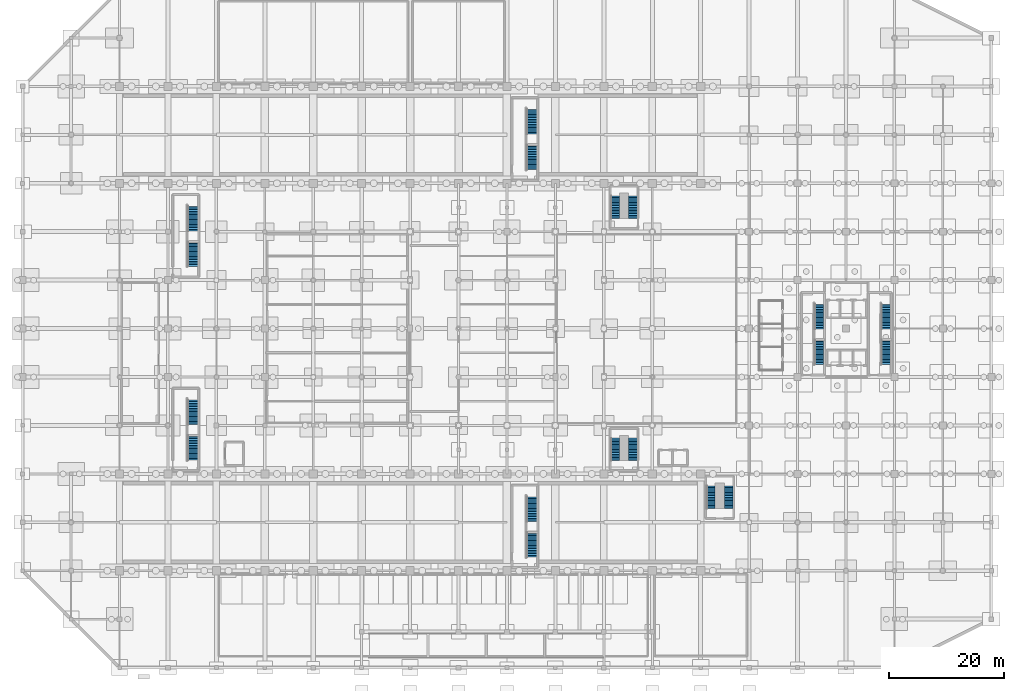
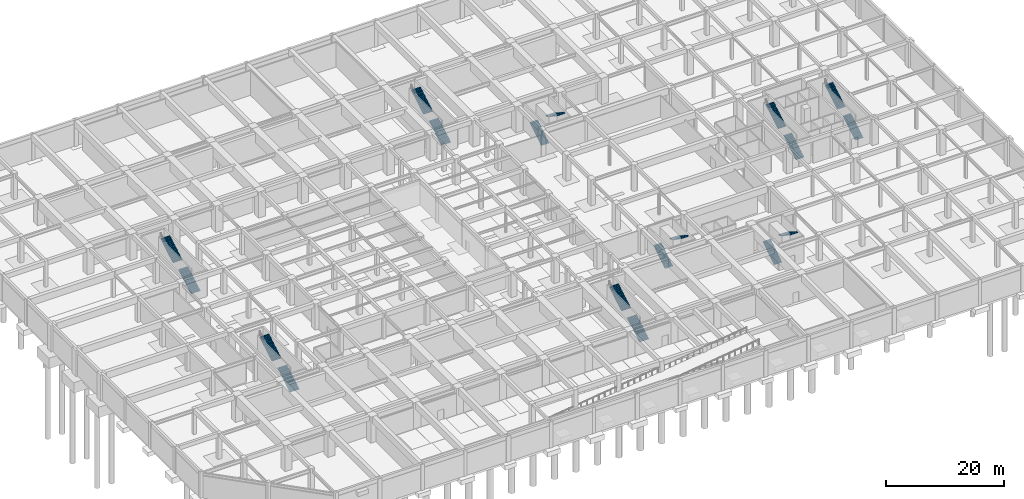
# One storey, part 25 of 26: 18 stair flights, 9 elements without a shape of their own.
"""IFC4 building model written with IfcOpenShell, lengths in metres."""

from ifc_helpers import new_model, si_unit, direction, frame, origin, place, context, subcontext, project, spatial, polyline, outline, extrude, material, layer, layer_set, type_object, element, aggregate, save


model = new_model("IFC4")

# Units and contexts
model_context = context("Model", 3, precision=1e-05, world=origin(), true_north=direction((0.0, 1.0)))
body_context = subcontext(model_context, "Body", "Model", "MODEL_VIEW")
ifc_project = project(units=[si_unit("LENGTHUNIT", "METRE"), si_unit("AREAUNIT", "SQUARE_METRE"), si_unit("VOLUMEUNIT", "CUBIC_METRE"), si_unit("PLANEANGLEUNIT", "RADIAN"), si_unit("MASSUNIT", "GRAM", prefix="KILO")], contexts=[model_context])

# Site, building, storey
site_placement = place(None, origin())
site = spatial("IfcSite", under=ifc_project, at=site_placement, CompositionType="ELEMENT")
building_placement = place(site_placement, origin())
building = spatial("IfcBuilding", under=site, at=building_placement, Name="Xuanlan Plaza Opera House", CompositionType="ELEMENT")
storey_placement = place(building_placement, frame((0.0, 0.0, -5.39990234375)))
storey = spatial("IfcBuildingStorey", under=building, at=storey_placement, Name="B01", CompositionType="ELEMENT", Elevation=-5.39990234375)

# Stair, stair flights
ifc_material = material(Name="Concrete C40", Category="concrete")
stair_type_1 = type_object("IfcStairType", Name="INT-ST-STR-F130", PredefinedType="HALF_TURN_STAIR", material=ifc_material)
stair_1_placement = place(storey_placement, origin())
stair_1 = element("IfcStair", 1, at=stair_1_placement, inside=storey, type_object=stair_type_1, Name="Grand Foyer Feature Stair ST-F1 B01", PredefinedType="HALF_TURN_STAIR")
ifc_layer_1 = layer(ifc_material, 0.159912109375)
ifc_layer_set_1 = layer_set([ifc_layer_1], Name="Concrete C40")
stair_flight_type_1 = type_object("IfcStairFlightType", Name="INT-FL-FL-130", PredefinedType="STRAIGHT", material=ifc_layer_set_1)
stair_flight_1_placement = place(storey_placement, frame((102.75, 35.8798828125, 0.0), z_axis=(0.0, 0.0, 1.0), x_axis=(0.0, 1.0, 0.0)))
stair_flight_1 = element("IfcStairFlight", 2, at=stair_flight_1_placement, type_object=stair_flight_type_1, Name="ST-F1-B01 flight 1", NumberOfRisers=15, NumberOfTreads=14, PredefinedType="STRAIGHT", RiserHeight=0.18, TreadLength=0.28, context=body_context, shape_type="SweptSolid", body=[
    extrude(outline(polyline([(0.0, 0.0), (0.0, 0.179931640625), (0.280029296875, 0.179931640625), (0.280029296875, 0.360107421875), (0.56005859375, 0.360107421875), (0.56005859375, 0.5400390625), (0.840087890625, 0.5400390625), (0.840087890625, 0.719970703125), (1.1201171875, 0.719970703125), (1.1201171875, 0.89990234375), (1.39990234375, 0.89990234375), (1.39990234375, 1.080078125), (1.679931640625, 1.080078125), (1.679931640625, 1.260009765625), (1.9599609375, 1.260009765625), (1.9599609375, 1.43994140625), (2.239990234375, 1.43994140625), (2.239990234375, 1.6201171875), (2.52001953125, 1.6201171875), (2.52001953125, 1.800048828125), (2.800048828125, 1.800048828125), (2.800048828125, 1.97998046875), (3.080078125, 1.97998046875), (3.080078125, 2.159912109375), (3.360107421875, 2.159912109375), (3.360107421875, 2.340087890625), (3.639892578125, 2.340087890625), (3.639892578125, 2.52001953125), (3.919921875, 2.52001953125), (3.919921875, 2.699951171875), (3.919921875, 2.329833984375), (0.295654296875, 0.0), (0.0, 0.0)])), frame((0.0, 0.75, 0.0), z_axis=(0.0, -1.0, 0.0), x_axis=(1.0, 0.0, 0.0)), (0.0, 0.0, 1.0), 1.5),
])
stair_flight_2_placement = place(storey_placement, frame((105.85009765625, 39.800048828125, 2.699951171875), z_axis=(0.0, 0.0, 1.0), x_axis=(0.0, -1.0, 0.0)))
stair_flight_2 = element("IfcStairFlight", 3, at=stair_flight_2_placement, type_object=stair_flight_type_1, Name="ST-F1-B01 flight 2", NumberOfRisers=15, NumberOfTreads=14, PredefinedType="STRAIGHT", RiserHeight=0.18, TreadLength=0.28, context=body_context, shape_type="SweptSolid", body=[
    extrude(outline(polyline([(0.0, 0.0), (0.0, 0.179931640625), (0.280029296875, 0.179931640625), (0.280029296875, 0.360107421875), (0.56005859375, 0.360107421875), (0.56005859375, 0.5400390625), (0.840087890625, 0.5400390625), (0.840087890625, 0.719970703125), (1.1201171875, 0.719970703125), (1.1201171875, 0.89990234375), (1.39990234375, 0.89990234375), (1.39990234375, 1.080078125), (1.679931640625, 1.080078125), (1.679931640625, 1.260009765625), (1.9599609375, 1.260009765625), (1.9599609375, 1.43994140625), (2.239990234375, 1.43994140625), (2.239990234375, 1.6201171875), (2.52001953125, 1.6201171875), (2.52001953125, 1.800048828125), (2.800048828125, 1.800048828125), (2.800048828125, 1.97998046875), (3.080078125, 1.97998046875), (3.080078125, 2.159912109375), (3.360107421875, 2.159912109375), (3.360107421875, 2.340087890625), (3.639892578125, 2.340087890625), (3.639892578125, 2.52001953125), (3.919921875, 2.52001953125), (3.919921875, 2.699951171875), (3.919921875, 2.329833984375), (0.295654296875, 0.0), (0.0, 0.0)])), frame((0.0, 0.75, 0.0), z_axis=(0.0, -1.0, 0.0), x_axis=(1.0, 0.0, 0.0)), (0.0, 0.0, 1.0), 1.5),
])
aggregate(stair_1, [stair_flight_1, stair_flight_2])

stair_2_placement = place(storey_placement, origin())
stair_2 = element("IfcStair", 4, at=stair_2_placement, inside=storey, type_object=stair_type_1, Name="Grand Foyer Feature Stair ST-F2 B01", PredefinedType="HALF_TURN_STAIR")
stair_flight_3_placement = place(storey_placement, frame((102.75, 77.8798828125, 0.0), z_axis=(0.0, 0.0, 1.0), x_axis=(0.0, 1.0, 0.0)))
stair_flight_3 = element("IfcStairFlight", 5, at=stair_flight_3_placement, type_object=stair_flight_type_1, Name="ST-F2-B01 flight 1", NumberOfRisers=15, NumberOfTreads=14, PredefinedType="STRAIGHT", RiserHeight=0.18, TreadLength=0.28, context=body_context, shape_type="SweptSolid", body=[
    extrude(outline(polyline([(0.0, 0.0), (0.0, 0.179931640625), (0.280029296875, 0.179931640625), (0.280029296875, 0.360107421875), (0.56005859375, 0.360107421875), (0.56005859375, 0.5400390625), (0.840087890625, 0.5400390625), (0.840087890625, 0.719970703125), (1.1201171875, 0.719970703125), (1.1201171875, 0.89990234375), (1.39990234375, 0.89990234375), (1.39990234375, 1.080078125), (1.679931640625, 1.080078125), (1.679931640625, 1.260009765625), (1.9599609375, 1.260009765625), (1.9599609375, 1.43994140625), (2.239990234375, 1.43994140625), (2.239990234375, 1.6201171875), (2.52001953125, 1.6201171875), (2.52001953125, 1.800048828125), (2.800048828125, 1.800048828125), (2.800048828125, 1.97998046875), (3.080078125, 1.97998046875), (3.080078125, 2.159912109375), (3.360107421875, 2.159912109375), (3.360107421875, 2.340087890625), (3.639892578125, 2.340087890625), (3.639892578125, 2.52001953125), (3.919921875, 2.52001953125), (3.919921875, 2.699951171875), (3.919921875, 2.329833984375), (0.295654296875, 0.0), (0.0, 0.0)])), frame((0.0, 0.75, 0.0), z_axis=(0.0, -1.0, 0.0), x_axis=(1.0, 0.0, 0.0)), (0.0, 0.0, 1.0), 1.5),
])
stair_flight_4_placement = place(storey_placement, frame((105.85009765625, 81.800048828125, 2.699951171875), z_axis=(0.0, 0.0, 1.0), x_axis=(0.0, -1.0, 0.0)))
stair_flight_4 = element("IfcStairFlight", 6, at=stair_flight_4_placement, type_object=stair_flight_type_1, Name="ST-F2-B01 flight 2", NumberOfRisers=15, NumberOfTreads=14, PredefinedType="STRAIGHT", RiserHeight=0.18, TreadLength=0.28, context=body_context, shape_type="SweptSolid", body=[
    extrude(outline(polyline([(0.0, 0.0), (0.0, 0.179931640625), (0.280029296875, 0.179931640625), (0.280029296875, 0.360107421875), (0.56005859375, 0.360107421875), (0.56005859375, 0.5400390625), (0.840087890625, 0.5400390625), (0.840087890625, 0.719970703125), (1.1201171875, 0.719970703125), (1.1201171875, 0.89990234375), (1.39990234375, 0.89990234375), (1.39990234375, 1.080078125), (1.679931640625, 1.080078125), (1.679931640625, 1.260009765625), (1.9599609375, 1.260009765625), (1.9599609375, 1.43994140625), (2.239990234375, 1.43994140625), (2.239990234375, 1.6201171875), (2.52001953125, 1.6201171875), (2.52001953125, 1.800048828125), (2.800048828125, 1.800048828125), (2.800048828125, 1.97998046875), (3.080078125, 1.97998046875), (3.080078125, 2.159912109375), (3.360107421875, 2.159912109375), (3.360107421875, 2.340087890625), (3.639892578125, 2.340087890625), (3.639892578125, 2.52001953125), (3.919921875, 2.52001953125), (3.919921875, 2.699951171875), (3.919921875, 2.329833984375), (0.295654296875, 0.0), (0.0, 0.0)])), frame((0.0, 0.75, 0.0), z_axis=(0.0, -1.0, 0.0), x_axis=(1.0, 0.0, 0.0)), (0.0, 0.0, 1.0), 1.5),
])
aggregate(stair_2, [stair_flight_3, stair_flight_4])

stair_type_2 = type_object("IfcStairType", Name="INT-ST-STR-F135", PredefinedType="HALF_TURN_STAIR", material=ifc_material)
stair_3_placement = place(storey_placement, origin())
stair_3 = element("IfcStair", 7, at=stair_3_placement, inside=storey, type_object=stair_type_2, Name="Grand Foyer Feature Stair ST-F3 B01", PredefinedType="HALF_TURN_STAIR")
stair_flight_5_placement = place(storey_placement, frame((119.35009765625, 27.580078125, 0.0), z_axis=(0.0, 0.0, 1.0), x_axis=(0.0, 1.0, 0.0)))
stair_flight_5 = element("IfcStairFlight", 8, at=stair_flight_5_placement, type_object=stair_flight_type_1, Name="ST-F3-B01 flight 1", NumberOfRisers=15, NumberOfTreads=14, PredefinedType="STRAIGHT", RiserHeight=0.18, TreadLength=0.28, context=body_context, shape_type="SweptSolid", body=[
    extrude(outline(polyline([(0.0, 0.0), (0.0, 0.179931640625), (0.280029296875, 0.179931640625), (0.280029296875, 0.360107421875), (0.56005859375, 0.360107421875), (0.56005859375, 0.5400390625), (0.840087890625, 0.5400390625), (0.840087890625, 0.719970703125), (1.1201171875, 0.719970703125), (1.1201171875, 0.89990234375), (1.39990234375, 0.89990234375), (1.39990234375, 1.080078125), (1.679931640625, 1.080078125), (1.679931640625, 1.260009765625), (1.9599609375, 1.260009765625), (1.9599609375, 1.43994140625), (2.239990234375, 1.43994140625), (2.239990234375, 1.6201171875), (2.52001953125, 1.6201171875), (2.52001953125, 1.800048828125), (2.800048828125, 1.800048828125), (2.800048828125, 1.97998046875), (3.080078125, 1.97998046875), (3.080078125, 2.159912109375), (3.360107421875, 2.159912109375), (3.360107421875, 2.340087890625), (3.639892578125, 2.340087890625), (3.639892578125, 2.52001953125), (3.919921875, 2.52001953125), (3.919921875, 2.699951171875), (3.919921875, 2.329833984375), (0.295654296875, 0.0), (0.0, 0.0)])), frame((0.0, 0.75, 0.0), z_axis=(0.0, -1.0, 0.0), x_axis=(1.0, 0.0, 0.0)), (0.0, 0.0, 1.0), 1.5),
])
stair_flight_6_placement = place(storey_placement, frame((122.449951171875, 31.5, 2.699951171875), z_axis=(0.0, 0.0, 1.0), x_axis=(0.0, -1.0, 0.0)))
stair_flight_6 = element("IfcStairFlight", 9, at=stair_flight_6_placement, type_object=stair_flight_type_1, Name="ST-F3-B01 flight 2", NumberOfRisers=15, NumberOfTreads=14, PredefinedType="STRAIGHT", RiserHeight=0.18, TreadLength=0.28, context=body_context, shape_type="SweptSolid", body=[
    extrude(outline(polyline([(0.0, 0.0), (0.0, 0.179931640625), (0.280029296875, 0.179931640625), (0.280029296875, 0.360107421875), (0.56005859375, 0.360107421875), (0.56005859375, 0.5400390625), (0.840087890625, 0.5400390625), (0.840087890625, 0.719970703125), (1.1201171875, 0.719970703125), (1.1201171875, 0.89990234375), (1.39990234375, 0.89990234375), (1.39990234375, 1.080078125), (1.679931640625, 1.080078125), (1.679931640625, 1.260009765625), (1.9599609375, 1.260009765625), (1.9599609375, 1.43994140625), (2.239990234375, 1.43994140625), (2.239990234375, 1.6201171875), (2.52001953125, 1.6201171875), (2.52001953125, 1.800048828125), (2.800048828125, 1.800048828125), (2.800048828125, 1.97998046875), (3.080078125, 1.97998046875), (3.080078125, 2.159912109375), (3.360107421875, 2.159912109375), (3.360107421875, 2.340087890625), (3.639892578125, 2.340087890625), (3.639892578125, 2.52001953125), (3.919921875, 2.52001953125), (3.919921875, 2.699951171875), (3.919921875, 2.329833984375), (0.295654296875, 0.0), (0.0, 0.0)])), frame((0.0, 0.75, 0.0), z_axis=(0.0, -1.0, 0.0), x_axis=(1.0, 0.0, 0.0)), (0.0, 0.0, 1.0), 1.5),
])
aggregate(stair_3, [stair_flight_5, stair_flight_6])

stair_type_3 = type_object("IfcStairType", Name="INT-ST-STR-T155", PredefinedType="STRAIGHT_RUN_STAIR", material=ifc_material)
stair_4_placement = place(storey_placement, origin())
stair_4 = element("IfcStair", 10, at=stair_4_placement, inside=storey, type_object=stair_type_3, Name="Protected Exit Stair ST-T1 B01", PredefinedType="STRAIGHT_RUN_STAIR")
ifc_layer_2 = layer(ifc_material, 0.159912109375)
ifc_layer_set_2 = layer_set([ifc_layer_2], Name="Concrete C40")
stair_flight_type_2 = type_object("IfcStairFlightType", Name="INT-FL-FL-155", PredefinedType="STRAIGHT", material=ifc_layer_set_2)
stair_flight_7_placement = place(storey_placement, frame((138.125, 52.60009765625, 0.0), z_axis=(0.0, 0.0, 1.0), x_axis=(0.0, 1.0, 0.0)))
stair_flight_7 = element("IfcStairFlight", 11, at=stair_flight_7_placement, type_object=stair_flight_type_2, Name="ST-T1-B01 flight 1", NumberOfRisers=16, NumberOfTreads=15, PredefinedType="STRAIGHT", RiserHeight=0.16875, TreadLength=0.285, context=body_context, shape_type="SweptSolid", body=[
    extrude(outline(polyline([(0.0, 0.0), (0.0, 0.168701171875), (0.284912109375, 0.168701171875), (0.284912109375, 0.33740234375), (0.570068359375, 0.33740234375), (0.570068359375, 0.50634765625), (0.85498046875, 0.50634765625), (0.85498046875, 0.675048828125), (1.139892578125, 0.675048828125), (1.139892578125, 0.84375), (1.425048828125, 0.84375), (1.425048828125, 1.012451171875), (1.7099609375, 1.012451171875), (1.7099609375, 1.18115234375), (1.9951171875, 1.18115234375), (1.9951171875, 1.35009765625), (2.280029296875, 1.35009765625), (2.280029296875, 1.518798828125), (2.56494140625, 1.518798828125), (2.56494140625, 1.6875), (2.85009765625, 1.6875), (2.85009765625, 1.856201171875), (3.135009765625, 1.856201171875), (3.135009765625, 2.02490234375), (3.419921875, 2.02490234375), (3.419921875, 2.19384765625), (3.705078125, 2.19384765625), (3.705078125, 2.362548828125), (3.989990234375, 2.362548828125), (3.989990234375, 2.53125), (4.27490234375, 2.53125), (4.27490234375, 2.699951171875), (4.27490234375, 2.345458984375), (0.31396484375, 0.0), (0.0, 0.0)])), frame((0.0, 0.77490234375, 0.0), z_axis=(0.0, -1.0, 0.0), x_axis=(1.0, 0.0, 0.0)), (0.0, 0.0, 1.0), 1.550048828125),
])
stair_flight_8_placement = place(storey_placement, frame((138.125, 58.72509765625, 2.699951171875), z_axis=(0.0, 0.0, 1.0), x_axis=(0.0, 1.0, 0.0)))
stair_flight_8 = element("IfcStairFlight", 12, at=stair_flight_8_placement, type_object=stair_flight_type_2, Name="ST-T1-B01 flight 2", NumberOfRisers=16, NumberOfTreads=15, PredefinedType="STRAIGHT", RiserHeight=0.16875, TreadLength=0.285, context=body_context, shape_type="SweptSolid", body=[
    extrude(outline(polyline([(0.0, 0.0), (0.0, 0.168701171875), (0.284912109375, 0.168701171875), (0.284912109375, 0.33740234375), (0.570068359375, 0.33740234375), (0.570068359375, 0.50634765625), (0.85498046875, 0.50634765625), (0.85498046875, 0.675048828125), (1.139892578125, 0.675048828125), (1.139892578125, 0.84375), (1.425048828125, 0.84375), (1.425048828125, 1.012451171875), (1.7099609375, 1.012451171875), (1.7099609375, 1.18115234375), (1.9951171875, 1.18115234375), (1.9951171875, 1.35009765625), (2.280029296875, 1.35009765625), (2.280029296875, 1.518798828125), (2.56494140625, 1.518798828125), (2.56494140625, 1.6875), (2.85009765625, 1.6875), (2.85009765625, 1.856201171875), (3.135009765625, 1.856201171875), (3.135009765625, 2.02490234375), (3.419921875, 2.02490234375), (3.419921875, 2.19384765625), (3.705078125, 2.19384765625), (3.705078125, 2.362548828125), (3.989990234375, 2.362548828125), (3.989990234375, 2.53125), (4.27490234375, 2.53125), (4.27490234375, 2.699951171875), (4.27490234375, 2.345458984375), (0.31396484375, 0.0), (0.0, 0.0)])), frame((0.0, 0.77490234375, 0.0), z_axis=(0.0, -1.0, 0.0), x_axis=(1.0, 0.0, 0.0)), (0.0, 0.0, 1.0), 1.550048828125),
])
aggregate(stair_4, [stair_flight_7, stair_flight_8])

stair_5_placement = place(storey_placement, origin())
stair_5 = element("IfcStair", 13, at=stair_5_placement, inside=storey, type_object=stair_type_3, Name="Protected Exit Stair ST-T2 B01", PredefinedType="STRAIGHT_RUN_STAIR")
stair_flight_9_placement = place(storey_placement, frame((149.72509765625, 52.60009765625, 0.0), z_axis=(0.0, 0.0, 1.0), x_axis=(0.0, 1.0, 0.0)))
stair_flight_9 = element("IfcStairFlight", 14, at=stair_flight_9_placement, type_object=stair_flight_type_2, Name="ST-T2-B01 flight 1", NumberOfRisers=16, NumberOfTreads=15, PredefinedType="STRAIGHT", RiserHeight=0.16875, TreadLength=0.285, context=body_context, shape_type="SweptSolid", body=[
    extrude(outline(polyline([(0.0, 0.0), (0.0, 0.168701171875), (0.284912109375, 0.168701171875), (0.284912109375, 0.33740234375), (0.570068359375, 0.33740234375), (0.570068359375, 0.50634765625), (0.85498046875, 0.50634765625), (0.85498046875, 0.675048828125), (1.139892578125, 0.675048828125), (1.139892578125, 0.84375), (1.425048828125, 0.84375), (1.425048828125, 1.012451171875), (1.7099609375, 1.012451171875), (1.7099609375, 1.18115234375), (1.9951171875, 1.18115234375), (1.9951171875, 1.35009765625), (2.280029296875, 1.35009765625), (2.280029296875, 1.518798828125), (2.56494140625, 1.518798828125), (2.56494140625, 1.6875), (2.85009765625, 1.6875), (2.85009765625, 1.856201171875), (3.135009765625, 1.856201171875), (3.135009765625, 2.02490234375), (3.419921875, 2.02490234375), (3.419921875, 2.19384765625), (3.705078125, 2.19384765625), (3.705078125, 2.362548828125), (3.989990234375, 2.362548828125), (3.989990234375, 2.53125), (4.27490234375, 2.53125), (4.27490234375, 2.699951171875), (4.27490234375, 2.345458984375), (0.31396484375, 0.0), (0.0, 0.0)])), frame((0.0, 0.77490234375, 0.0), z_axis=(0.0, -1.0, 0.0), x_axis=(1.0, 0.0, 0.0)), (0.0, 0.0, 1.0), 1.550048828125),
])
stair_flight_10_placement = place(storey_placement, frame((149.72509765625, 58.72509765625, 2.699951171875), z_axis=(0.0, 0.0, 1.0), x_axis=(0.0, 1.0, 0.0)))
stair_flight_10 = element("IfcStairFlight", 15, at=stair_flight_10_placement, type_object=stair_flight_type_2, Name="ST-T2-B01 flight 2", NumberOfRisers=16, NumberOfTreads=15, PredefinedType="STRAIGHT", RiserHeight=0.16875, TreadLength=0.285, context=body_context, shape_type="SweptSolid", body=[
    extrude(outline(polyline([(0.0, 0.0), (0.0, 0.168701171875), (0.284912109375, 0.168701171875), (0.284912109375, 0.33740234375), (0.570068359375, 0.33740234375), (0.570068359375, 0.50634765625), (0.85498046875, 0.50634765625), (0.85498046875, 0.675048828125), (1.139892578125, 0.675048828125), (1.139892578125, 0.84375), (1.425048828125, 0.84375), (1.425048828125, 1.012451171875), (1.7099609375, 1.012451171875), (1.7099609375, 1.18115234375), (1.9951171875, 1.18115234375), (1.9951171875, 1.35009765625), (2.280029296875, 1.35009765625), (2.280029296875, 1.518798828125), (2.56494140625, 1.518798828125), (2.56494140625, 1.6875), (2.85009765625, 1.6875), (2.85009765625, 1.856201171875), (3.135009765625, 1.856201171875), (3.135009765625, 2.02490234375), (3.419921875, 2.02490234375), (3.419921875, 2.19384765625), (3.705078125, 2.19384765625), (3.705078125, 2.362548828125), (3.989990234375, 2.362548828125), (3.989990234375, 2.53125), (4.27490234375, 2.53125), (4.27490234375, 2.699951171875), (4.27490234375, 2.345458984375), (0.31396484375, 0.0), (0.0, 0.0)])), frame((0.0, 0.77490234375, 0.0), z_axis=(0.0, -1.0, 0.0), x_axis=(1.0, 0.0, 0.0)), (0.0, 0.0, 1.0), 1.550048828125),
])
aggregate(stair_5, [stair_flight_9, stair_flight_10])

stair_type_4 = type_object("IfcStairType", Name="INT-ST-STR-P180", PredefinedType="STRAIGHT_RUN_STAIR", material=ifc_material)
stair_6_placement = place(storey_placement, origin())
stair_6 = element("IfcStair", 16, at=stair_6_placement, inside=storey, type_object=stair_type_4, Name="Protected Exit Stair ST-P1 B01", PredefinedType="STRAIGHT_RUN_STAIR")
ifc_layer_3 = layer(ifc_material, 0.179931640625)
ifc_layer_set_3 = layer_set([ifc_layer_3], Name="Concrete C40")
stair_flight_type_3 = type_object("IfcStairFlightType", Name="INT-FL-FL-180", PredefinedType="STRAIGHT", material=ifc_layer_set_3)
stair_flight_11_placement = place(storey_placement, frame((29.5, 36.0, 0.0), z_axis=(0.0, 0.0, 1.0), x_axis=(0.0, 1.0, 0.0)))
stair_flight_11 = element("IfcStairFlight", 17, at=stair_flight_11_placement, type_object=stair_flight_type_3, Name="ST-P1-B01 flight 1", NumberOfRisers=16, NumberOfTreads=15, PredefinedType="STRAIGHT", RiserHeight=0.16875, TreadLength=0.285, context=body_context, shape_type="SweptSolid", body=[
    extrude(outline(polyline([(0.0, 0.0), (0.0, 0.168701171875), (0.284912109375, 0.168701171875), (0.284912109375, 0.33740234375), (0.570068359375, 0.33740234375), (0.570068359375, 0.50634765625), (0.85498046875, 0.50634765625), (0.85498046875, 0.675048828125), (1.139892578125, 0.675048828125), (1.139892578125, 0.84375), (1.425048828125, 0.84375), (1.425048828125, 1.012451171875), (1.7099609375, 1.012451171875), (1.7099609375, 1.18115234375), (1.9951171875, 1.18115234375), (1.9951171875, 1.35009765625), (2.280029296875, 1.35009765625), (2.280029296875, 1.518798828125), (2.56494140625, 1.518798828125), (2.56494140625, 1.6875), (2.85009765625, 1.6875), (2.85009765625, 1.856201171875), (3.135009765625, 1.856201171875), (3.135009765625, 2.02490234375), (3.419921875, 2.02490234375), (3.419921875, 2.19384765625), (3.705078125, 2.19384765625), (3.705078125, 2.362548828125), (3.989990234375, 2.362548828125), (3.989990234375, 2.53125), (4.27490234375, 2.53125), (4.27490234375, 2.699951171875), (4.27490234375, 2.345458984375), (0.31396484375, 0.0), (0.0, 0.0)])), frame((0.0, 0.89990234375, 0.0), z_axis=(0.0, -1.0, 0.0), x_axis=(1.0, 0.0, 0.0)), (0.0, 0.0, 1.0), 1.800048828125),
])
stair_flight_12_placement = place(storey_placement, frame((29.5, 42.125, 2.699951171875), z_axis=(0.0, 0.0, 1.0), x_axis=(0.0, 1.0, 0.0)))
stair_flight_12 = element("IfcStairFlight", 18, at=stair_flight_12_placement, type_object=stair_flight_type_3, Name="ST-P1-B01 flight 2", NumberOfRisers=16, NumberOfTreads=15, PredefinedType="STRAIGHT", RiserHeight=0.16875, TreadLength=0.285, context=body_context, shape_type="SweptSolid", body=[
    extrude(outline(polyline([(0.0, 0.0), (0.0, 0.168701171875), (0.284912109375, 0.168701171875), (0.284912109375, 0.33740234375), (0.570068359375, 0.33740234375), (0.570068359375, 0.50634765625), (0.85498046875, 0.50634765625), (0.85498046875, 0.675048828125), (1.139892578125, 0.675048828125), (1.139892578125, 0.84375), (1.425048828125, 0.84375), (1.425048828125, 1.012451171875), (1.7099609375, 1.012451171875), (1.7099609375, 1.18115234375), (1.9951171875, 1.18115234375), (1.9951171875, 1.35009765625), (2.280029296875, 1.35009765625), (2.280029296875, 1.518798828125), (2.56494140625, 1.518798828125), (2.56494140625, 1.6875), (2.85009765625, 1.6875), (2.85009765625, 1.856201171875), (3.135009765625, 1.856201171875), (3.135009765625, 2.02490234375), (3.419921875, 2.02490234375), (3.419921875, 2.19384765625), (3.705078125, 2.19384765625), (3.705078125, 2.362548828125), (3.989990234375, 2.362548828125), (3.989990234375, 2.53125), (4.27490234375, 2.53125), (4.27490234375, 2.699951171875), (4.27490234375, 2.345458984375), (0.31396484375, 0.0), (0.0, 0.0)])), frame((0.0, 0.89990234375, 0.0), z_axis=(0.0, -1.0, 0.0), x_axis=(1.0, 0.0, 0.0)), (0.0, 0.0, 1.0), 1.800048828125),
])
aggregate(stair_6, [stair_flight_11, stair_flight_12])

stair_7_placement = place(storey_placement, origin())
stair_7 = element("IfcStair", 19, at=stair_7_placement, inside=storey, type_object=stair_type_4, Name="Protected Exit Stair ST-P2 B01", PredefinedType="STRAIGHT_RUN_STAIR")
stair_flight_13_placement = place(storey_placement, frame((29.5, 69.60009765625, 0.0), z_axis=(0.0, 0.0, 1.0), x_axis=(0.0, 1.0, 0.0)))
stair_flight_13 = element("IfcStairFlight", 20, at=stair_flight_13_placement, type_object=stair_flight_type_3, Name="ST-P2-B01 flight 1", NumberOfRisers=16, NumberOfTreads=15, PredefinedType="STRAIGHT", RiserHeight=0.16875, TreadLength=0.285, context=body_context, shape_type="SweptSolid", body=[
    extrude(outline(polyline([(0.0, 0.0), (0.0, 0.168701171875), (0.284912109375, 0.168701171875), (0.284912109375, 0.33740234375), (0.570068359375, 0.33740234375), (0.570068359375, 0.50634765625), (0.85498046875, 0.50634765625), (0.85498046875, 0.675048828125), (1.139892578125, 0.675048828125), (1.139892578125, 0.84375), (1.425048828125, 0.84375), (1.425048828125, 1.012451171875), (1.7099609375, 1.012451171875), (1.7099609375, 1.18115234375), (1.9951171875, 1.18115234375), (1.9951171875, 1.35009765625), (2.280029296875, 1.35009765625), (2.280029296875, 1.518798828125), (2.56494140625, 1.518798828125), (2.56494140625, 1.6875), (2.85009765625, 1.6875), (2.85009765625, 1.856201171875), (3.135009765625, 1.856201171875), (3.135009765625, 2.02490234375), (3.419921875, 2.02490234375), (3.419921875, 2.19384765625), (3.705078125, 2.19384765625), (3.705078125, 2.362548828125), (3.989990234375, 2.362548828125), (3.989990234375, 2.53125), (4.27490234375, 2.53125), (4.27490234375, 2.699951171875), (4.27490234375, 2.345458984375), (0.31396484375, 0.0), (0.0, 0.0)])), frame((0.0, 0.89990234375, 0.0), z_axis=(0.0, -1.0, 0.0), x_axis=(1.0, 0.0, 0.0)), (0.0, 0.0, 1.0), 1.800048828125),
])
stair_flight_14_placement = place(storey_placement, frame((29.5, 75.72509765625, 2.699951171875), z_axis=(0.0, 0.0, 1.0), x_axis=(0.0, 1.0, 0.0)))
stair_flight_14 = element("IfcStairFlight", 21, at=stair_flight_14_placement, type_object=stair_flight_type_3, Name="ST-P2-B01 flight 2", NumberOfRisers=16, NumberOfTreads=15, PredefinedType="STRAIGHT", RiserHeight=0.16875, TreadLength=0.285, context=body_context, shape_type="SweptSolid", body=[
    extrude(outline(polyline([(0.0, 0.0), (0.0, 0.168701171875), (0.284912109375, 0.168701171875), (0.284912109375, 0.33740234375), (0.570068359375, 0.33740234375), (0.570068359375, 0.50634765625), (0.85498046875, 0.50634765625), (0.85498046875, 0.675048828125), (1.139892578125, 0.675048828125), (1.139892578125, 0.84375), (1.425048828125, 0.84375), (1.425048828125, 1.012451171875), (1.7099609375, 1.012451171875), (1.7099609375, 1.18115234375), (1.9951171875, 1.18115234375), (1.9951171875, 1.35009765625), (2.280029296875, 1.35009765625), (2.280029296875, 1.518798828125), (2.56494140625, 1.518798828125), (2.56494140625, 1.6875), (2.85009765625, 1.6875), (2.85009765625, 1.856201171875), (3.135009765625, 1.856201171875), (3.135009765625, 2.02490234375), (3.419921875, 2.02490234375), (3.419921875, 2.19384765625), (3.705078125, 2.19384765625), (3.705078125, 2.362548828125), (3.989990234375, 2.362548828125), (3.989990234375, 2.53125), (4.27490234375, 2.53125), (4.27490234375, 2.699951171875), (4.27490234375, 2.345458984375), (0.31396484375, 0.0), (0.0, 0.0)])), frame((0.0, 0.89990234375, 0.0), z_axis=(0.0, -1.0, 0.0), x_axis=(1.0, 0.0, 0.0)), (0.0, 0.0, 1.0), 1.800048828125),
])
aggregate(stair_7, [stair_flight_13, stair_flight_14])

stair_8_placement = place(storey_placement, origin())
stair_8 = element("IfcStair", 22, at=stair_8_placement, inside=storey, type_object=stair_type_4, Name="Protected Exit Stair ST-P3 B01", PredefinedType="STRAIGHT_RUN_STAIR")
stair_flight_15_placement = place(storey_placement, frame((88.300048828125, 19.199951171875, 0.0), z_axis=(0.0, 0.0, 1.0), x_axis=(0.0, 1.0, 0.0)))
stair_flight_15 = element("IfcStairFlight", 23, at=stair_flight_15_placement, type_object=stair_flight_type_3, Name="ST-P3-B01 flight 1", NumberOfRisers=16, NumberOfTreads=15, PredefinedType="STRAIGHT", RiserHeight=0.16875, TreadLength=0.285, context=body_context, shape_type="SweptSolid", body=[
    extrude(outline(polyline([(0.0, 0.0), (0.0, 0.168701171875), (0.284912109375, 0.168701171875), (0.284912109375, 0.33740234375), (0.570068359375, 0.33740234375), (0.570068359375, 0.50634765625), (0.85498046875, 0.50634765625), (0.85498046875, 0.675048828125), (1.139892578125, 0.675048828125), (1.139892578125, 0.84375), (1.425048828125, 0.84375), (1.425048828125, 1.012451171875), (1.7099609375, 1.012451171875), (1.7099609375, 1.18115234375), (1.9951171875, 1.18115234375), (1.9951171875, 1.35009765625), (2.280029296875, 1.35009765625), (2.280029296875, 1.518798828125), (2.56494140625, 1.518798828125), (2.56494140625, 1.6875), (2.85009765625, 1.6875), (2.85009765625, 1.856201171875), (3.135009765625, 1.856201171875), (3.135009765625, 2.02490234375), (3.419921875, 2.02490234375), (3.419921875, 2.19384765625), (3.705078125, 2.19384765625), (3.705078125, 2.362548828125), (3.989990234375, 2.362548828125), (3.989990234375, 2.53125), (4.27490234375, 2.53125), (4.27490234375, 2.699951171875), (4.27490234375, 2.345458984375), (0.31396484375, 0.0), (0.0, 0.0)])), frame((0.0, 0.89990234375, 0.0), z_axis=(0.0, -1.0, 0.0), x_axis=(1.0, 0.0, 0.0)), (0.0, 0.0, 1.0), 1.800048828125),
])
stair_flight_16_placement = place(storey_placement, frame((88.300048828125, 25.324951171875, 2.699951171875), z_axis=(0.0, 0.0, 1.0), x_axis=(0.0, 1.0, 0.0)))
stair_flight_16 = element("IfcStairFlight", 24, at=stair_flight_16_placement, type_object=stair_flight_type_3, Name="ST-P3-B01 flight 2", NumberOfRisers=16, NumberOfTreads=15, PredefinedType="STRAIGHT", RiserHeight=0.16875, TreadLength=0.285, context=body_context, shape_type="SweptSolid", body=[
    extrude(outline(polyline([(0.0, 0.0), (0.0, 0.168701171875), (0.284912109375, 0.168701171875), (0.284912109375, 0.33740234375), (0.570068359375, 0.33740234375), (0.570068359375, 0.50634765625), (0.85498046875, 0.50634765625), (0.85498046875, 0.675048828125), (1.139892578125, 0.675048828125), (1.139892578125, 0.84375), (1.425048828125, 0.84375), (1.425048828125, 1.012451171875), (1.7099609375, 1.012451171875), (1.7099609375, 1.18115234375), (1.9951171875, 1.18115234375), (1.9951171875, 1.35009765625), (2.280029296875, 1.35009765625), (2.280029296875, 1.518798828125), (2.56494140625, 1.518798828125), (2.56494140625, 1.6875), (2.85009765625, 1.6875), (2.85009765625, 1.856201171875), (3.135009765625, 1.856201171875), (3.135009765625, 2.02490234375), (3.419921875, 2.02490234375), (3.419921875, 2.19384765625), (3.705078125, 2.19384765625), (3.705078125, 2.362548828125), (3.989990234375, 2.362548828125), (3.989990234375, 2.53125), (4.27490234375, 2.53125), (4.27490234375, 2.699951171875), (4.27490234375, 2.345458984375), (0.31396484375, 0.0), (0.0, 0.0)])), frame((0.0, 0.89990234375, 0.0), z_axis=(0.0, -1.0, 0.0), x_axis=(1.0, 0.0, 0.0)), (0.0, 0.0, 1.0), 1.800048828125),
])
aggregate(stair_8, [stair_flight_15, stair_flight_16])

stair_9_placement = place(storey_placement, origin())
stair_9 = element("IfcStair", 25, at=stair_9_placement, inside=storey, type_object=stair_type_4, Name="Protected Exit Stair ST-P4 B01", PredefinedType="STRAIGHT_RUN_STAIR")
stair_flight_17_placement = place(storey_placement, frame((88.300048828125, 86.39990234375, 0.0), z_axis=(0.0, 0.0, 1.0), x_axis=(0.0, 1.0, 0.0)))
stair_flight_17 = element("IfcStairFlight", 26, at=stair_flight_17_placement, type_object=stair_flight_type_3, Name="ST-P4-B01 flight 1", NumberOfRisers=16, NumberOfTreads=15, PredefinedType="STRAIGHT", RiserHeight=0.16875, TreadLength=0.285, context=body_context, shape_type="SweptSolid", body=[
    extrude(outline(polyline([(0.0, 0.0), (0.0, 0.168701171875), (0.284912109375, 0.168701171875), (0.284912109375, 0.33740234375), (0.570068359375, 0.33740234375), (0.570068359375, 0.50634765625), (0.85498046875, 0.50634765625), (0.85498046875, 0.675048828125), (1.139892578125, 0.675048828125), (1.139892578125, 0.84375), (1.425048828125, 0.84375), (1.425048828125, 1.012451171875), (1.7099609375, 1.012451171875), (1.7099609375, 1.18115234375), (1.9951171875, 1.18115234375), (1.9951171875, 1.35009765625), (2.280029296875, 1.35009765625), (2.280029296875, 1.518798828125), (2.56494140625, 1.518798828125), (2.56494140625, 1.6875), (2.85009765625, 1.6875), (2.85009765625, 1.856201171875), (3.135009765625, 1.856201171875), (3.135009765625, 2.02490234375), (3.419921875, 2.02490234375), (3.419921875, 2.19384765625), (3.705078125, 2.19384765625), (3.705078125, 2.362548828125), (3.989990234375, 2.362548828125), (3.989990234375, 2.53125), (4.27490234375, 2.53125), (4.27490234375, 2.699951171875), (4.27490234375, 2.345458984375), (0.31396484375, 0.0), (0.0, 0.0)])), frame((0.0, 0.89990234375, 0.0), z_axis=(0.0, -1.0, 0.0), x_axis=(1.0, 0.0, 0.0)), (0.0, 0.0, 1.0), 1.800048828125),
])
stair_flight_18_placement = place(storey_placement, frame((88.300048828125, 92.52490234375, 2.699951171875), z_axis=(0.0, 0.0, 1.0), x_axis=(0.0, 1.0, 0.0)))
stair_flight_18 = element("IfcStairFlight", 27, at=stair_flight_18_placement, type_object=stair_flight_type_3, Name="ST-P4-B01 flight 2", NumberOfRisers=16, NumberOfTreads=15, PredefinedType="STRAIGHT", RiserHeight=0.16875, TreadLength=0.285, context=body_context, shape_type="SweptSolid", body=[
    extrude(outline(polyline([(0.0, 0.0), (0.0, 0.168701171875), (0.284912109375, 0.168701171875), (0.284912109375, 0.33740234375), (0.570068359375, 0.33740234375), (0.570068359375, 0.50634765625), (0.85498046875, 0.50634765625), (0.85498046875, 0.675048828125), (1.139892578125, 0.675048828125), (1.139892578125, 0.84375), (1.425048828125, 0.84375), (1.425048828125, 1.012451171875), (1.7099609375, 1.012451171875), (1.7099609375, 1.18115234375), (1.9951171875, 1.18115234375), (1.9951171875, 1.35009765625), (2.280029296875, 1.35009765625), (2.280029296875, 1.518798828125), (2.56494140625, 1.518798828125), (2.56494140625, 1.6875), (2.85009765625, 1.6875), (2.85009765625, 1.856201171875), (3.135009765625, 1.856201171875), (3.135009765625, 2.02490234375), (3.419921875, 2.02490234375), (3.419921875, 2.19384765625), (3.705078125, 2.19384765625), (3.705078125, 2.362548828125), (3.989990234375, 2.362548828125), (3.989990234375, 2.53125), (4.27490234375, 2.53125), (4.27490234375, 2.699951171875), (4.27490234375, 2.345458984375), (0.31396484375, 0.0), (0.0, 0.0)])), frame((0.0, 0.89990234375, 0.0), z_axis=(0.0, -1.0, 0.0), x_axis=(1.0, 0.0, 0.0)), (0.0, 0.0, 1.0), 1.800048828125),
])
aggregate(stair_9, [stair_flight_17, stair_flight_18])

save(model, "model.ifc")
